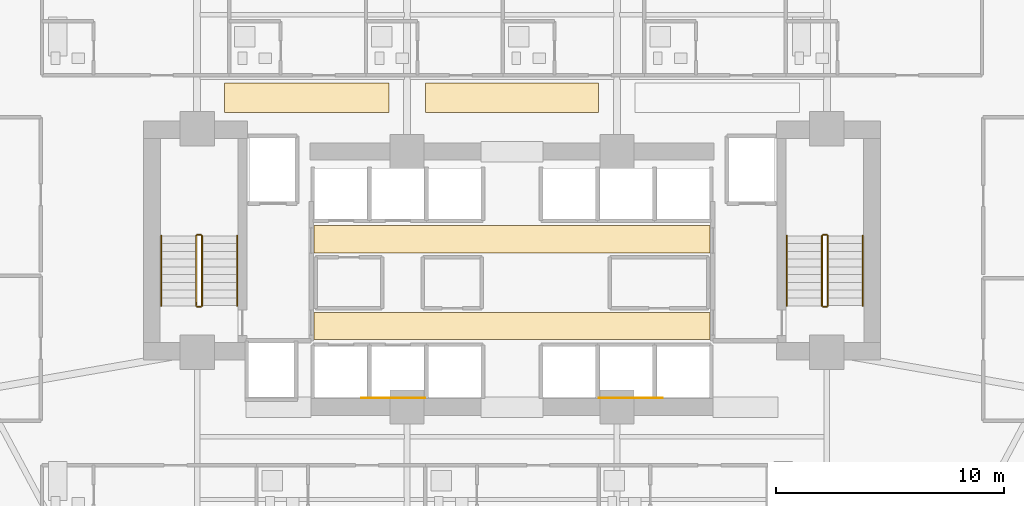
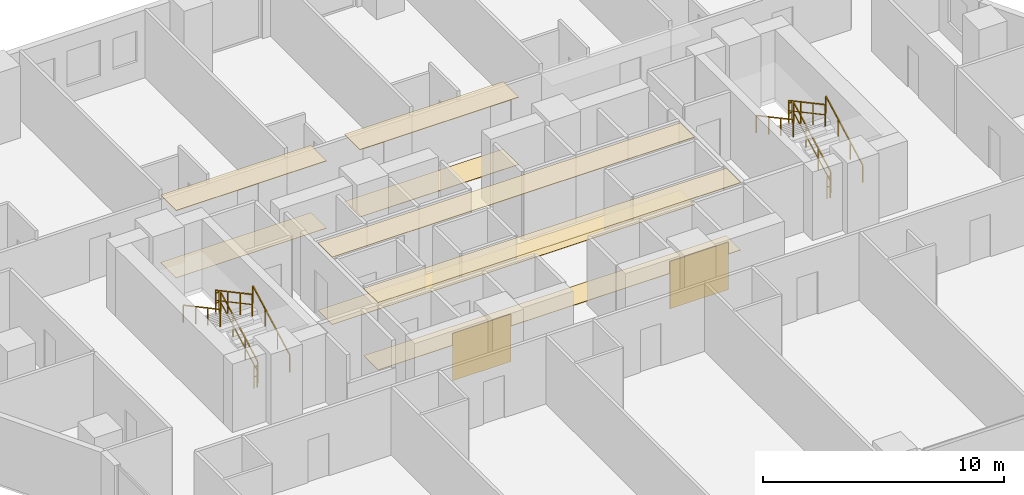
# One storey, part 25 of 27: 12 railings, 10 coverings.
"""IFC4 building model written with IfcOpenShell, lengths in metres."""

from ifc_helpers import new_model, si_unit, direction, frame, origin, origin_2d, place, context, subcontext, project, spatial, polyline, rectangle, outline, extrude, material, layer, layer_set, type_object, element, save


model = new_model("IFC4")

# Units and contexts
model_context = context("Model", 3, precision=1e-05, world=origin(), true_north=direction((0.0, 1.0)))
body_context = subcontext(model_context, "Body", "Model", "MODEL_VIEW")
ifc_project = project(units=[si_unit("LENGTHUNIT", "METRE"), si_unit("AREAUNIT", "SQUARE_METRE"), si_unit("VOLUMEUNIT", "CUBIC_METRE"), si_unit("PLANEANGLEUNIT", "RADIAN"), si_unit("MASSUNIT", "GRAM", prefix="KILO")], contexts=[model_context])

# Site, building, storey
site_placement = place(None, origin())
site = spatial("IfcSite", under=ifc_project, at=site_placement, CompositionType="ELEMENT")
building_placement = place(site_placement, origin())
building = spatial("IfcBuilding", under=site, at=building_placement, Name="Zuhayl Quay Hotel", CompositionType="ELEMENT")
storey_placement = place(building_placement, frame((0.0, 0.0, 102.949951171875)))
storey = spatial("IfcBuildingStorey", under=building, at=storey_placement, Name="L25", CompositionType="ELEMENT", Elevation=102.949951171875)

# Coverings
ifc_material_1 = material(Name="Acoustic Mineral-Fibre Gypsum Board")
ifc_layer_1 = layer(ifc_material_1, 0.02490234375, Name="Acoustic Mineral-Fibre Gypsum Board")
ifc_layer_set_1 = layer_set([ifc_layer_1], Name="Acoustic Mineral-Fibre Gypsum Board")
covering_type_1 = type_object("IfcCoveringType", Name="CV_CEIL_ACOUSTIC", PredefinedType="CEILING", material=ifc_layer_set_1)
covering_1_placement = place(storey_placement, frame((0.0, 0.0, 3.405029296875)))
element("IfcCovering", 1, at=covering_1_placement, inside=storey, type_object=covering_type_1, Name="L25 Suspended Acoustic Lobby Ceiling S", PredefinedType="CEILING", context=body_context, shape_type="SweptSolid", body=[
    extrude(outline(polyline([(-8.679931640625, 5.10009765625), (8.679931640625, 5.10009765625), (8.679931640625, 6.300048828125), (-8.679931640625, 6.300048828125), (-8.679931640625, 5.10009765625)])), origin(), (0.0, 0.0, 1.0), 0.02490234375),
])
covering_2_placement = place(storey_placement, frame((0.0, 0.0, 3.405029296875)))
element("IfcCovering", 2, at=covering_2_placement, inside=storey, type_object=covering_type_1, Name="L25 Suspended Acoustic Lobby Ceiling N", PredefinedType="CEILING", context=body_context, shape_type="SweptSolid", body=[
    extrude(outline(polyline([(-8.679931640625, 8.89990234375), (8.679931640625, 8.89990234375), (8.679931640625, 10.10009765625), (-8.679931640625, 10.10009765625), (-8.679931640625, 8.89990234375)])), origin(), (0.0, 0.0, 1.0), 0.02490234375),
])
covering_3_placement = place(storey_placement, frame((0.0, 0.0, 3.405029296875)))
element("IfcCovering", 3, at=covering_3_placement, inside=storey, type_object=covering_type_1, Name="L25 Guest Corridor Acoustic Ceiling CW", PredefinedType="CEILING", context=body_context, shape_type="SweptSolid", body=[
    extrude(outline(polyline([(-12.60009765625, 15.050048828125), (-5.39990234375, 15.050048828125), (-5.39990234375, 16.35009765625), (-12.60009765625, 16.35009765625), (-12.60009765625, 15.050048828125)])), origin(), (0.0, 0.0, 1.0), 0.02490234375),
])
covering_4_placement = place(storey_placement, frame((0.0, 0.0, 3.405029296875)))
element("IfcCovering", 4, at=covering_4_placement, inside=storey, type_object=covering_type_1, Name="L25 Guest Corridor Acoustic Ceiling CC", PredefinedType="CEILING", context=body_context, shape_type="SweptSolid", body=[
    extrude(outline(polyline([(-3.800048828125, 15.050048828125), (3.800048828125, 15.050048828125), (3.800048828125, 16.35009765625), (-3.800048828125, 16.35009765625), (-3.800048828125, 15.050048828125)])), origin(), (0.0, 0.0, 1.0), 0.02490234375),
])
ifc_material_2 = material(Name="Polished Limestone Terrazzo", Category="masonry")
ifc_layer_2 = layer(ifc_material_2, 0.02001953125, Name="Polished Limestone Terrazzo", Category="masonry")
ifc_layer_set_2 = layer_set([ifc_layer_2], Name="Polished Limestone Terrazzo")
covering_type_2 = type_object("IfcCoveringType", Name="CV_FLOOR_TERRAZZO", PredefinedType="FLOORING", material=ifc_layer_set_2)
covering_5_placement = place(storey_placement, origin())
element("IfcCovering", 5, at=covering_5_placement, inside=storey, type_object=covering_type_2, Name="L25 Honed Limestone Terrazzo Lobby Flooring S", PredefinedType="FLOORING", context=body_context, shape_type="SweptSolid", body=[
    extrude(outline(polyline([(-8.679931640625, 5.10009765625), (8.679931640625, 5.10009765625), (8.679931640625, 6.300048828125), (-8.679931640625, 6.300048828125), (-8.679931640625, 5.10009765625)])), origin(), (0.0, 0.0, 1.0), 0.02001953125),
])
covering_6_placement = place(storey_placement, origin())
element("IfcCovering", 6, at=covering_6_placement, inside=storey, type_object=covering_type_2, Name="L25 Honed Limestone Terrazzo Lobby Flooring N", PredefinedType="FLOORING", context=body_context, shape_type="SweptSolid", body=[
    extrude(outline(polyline([(-8.679931640625, 8.89990234375), (8.679931640625, 8.89990234375), (8.679931640625, 10.10009765625), (-8.679931640625, 10.10009765625), (-8.679931640625, 8.89990234375)])), origin(), (0.0, 0.0, 1.0), 0.02001953125),
])
covering_7_placement = place(storey_placement, origin())
element("IfcCovering", 7, at=covering_7_placement, inside=storey, type_object=covering_type_2, Name="L25 Guest Corridor Terrazzo Runner CW", PredefinedType="FLOORING", context=body_context, shape_type="SweptSolid", body=[
    extrude(outline(polyline([(-12.60009765625, 15.050048828125), (-5.39990234375, 15.050048828125), (-5.39990234375, 16.35009765625), (-12.60009765625, 16.35009765625), (-12.60009765625, 15.050048828125)])), origin(), (0.0, 0.0, 1.0), 0.02001953125),
])
covering_8_placement = place(storey_placement, origin())
element("IfcCovering", 8, at=covering_8_placement, inside=storey, type_object=covering_type_2, Name="L25 Guest Corridor Terrazzo Runner CC", PredefinedType="FLOORING", context=body_context, shape_type="SweptSolid", body=[
    extrude(outline(polyline([(-3.800048828125, 15.050048828125), (3.800048828125, 15.050048828125), (3.800048828125, 16.35009765625), (-3.800048828125, 16.35009765625), (-3.800048828125, 15.050048828125)])), origin(), (0.0, 0.0, 1.0), 0.02001953125),
])
ifc_material_3 = material(Name="Acoustic Walnut Feature Timber", Category="wood")
ifc_layer_3 = layer(ifc_material_3, 0.02197265625, Name="Acoustic Walnut Feature Timber", Category="wood")
ifc_layer_set_3 = layer_set([ifc_layer_3], Name="Acoustic Walnut Feature Timber")
covering_type_3 = type_object("IfcCoveringType", Name="CV_WALL_CLAD", PredefinedType="CLADDING", material=ifc_layer_set_3)
for number, where, z_axis, x_axis, name in (
    (9, (-5.199951171875, 2.535888671875, 0.300048828125), (0.0, 0.0, 1.0), (1.0, 0.0, 0.0), "L25 Feature Lobby Walnut Wall Cladding W"),
    (10, (5.199951171875, 2.535888671875, 0.300048828125), (0.0, 0.0, 1.0), (1.0, 0.0, 0.0), "L25 Feature Lobby Walnut Wall Cladding E"),
):
    element("IfcCovering", number, at=place(storey_placement, frame(where, z_axis=z_axis, x_axis=x_axis)), inside=storey, type_object=covering_type_3, Name=name, PredefinedType="CLADDING", context=body_context, shape_type="SweptSolid", body=[
        extrude(rectangle(XDim=2.800048828125, YDim=0.02197265625, at=origin_2d()), origin(), (0.0, 0.0, 1.0), 2.39990234375),
    ])

# Railings
ifc_material_4 = material(Name="Steel ASTM A992 Grade 50", Category="steel")
railing_type_1 = type_object("IfcRailingType", Name="RL_GUARD_1100", PredefinedType="GUARDRAIL", material=ifc_material_4)
railing_1_placement = place(storey_placement, frame((-13.590087890625, 6.590087890625, 0.1826171875)))
element("IfcRailing", 11, at=railing_1_placement, inside=storey, type_object=railing_type_1, Name="L25 ST1 stair guard 1", PredefinedType="GUARDRAIL", context=body_context, shape_type="SweptSolid", body=[
    extrude(rectangle(XDim=0.048095703125, YDim=0.048095703125, at=origin_2d()), frame((0.0, 0.0, 1.09619140625), z_axis=(0.0, 0.881102395774, 0.472925541879), x_axis=(-1.0, 0.0, 0.0)), (0.0, 0.0, 1.0), 3.47265625),
    extrude(rectangle(XDim=0.0361328125, YDim=0.0361328125, at=origin_2d()), frame((0.0, 0.0, 0.58251953125), z_axis=(0.0, 0.881102395774, 0.472925541879), x_axis=(-1.0, 0.0, 0.0)), (0.0, 0.0, 1.0), 3.47265625),
    extrude(rectangle(XDim=0.0419921875, YDim=0.0419921875, at=origin_2d()), origin(), (0.0, 0.0, 1.0), 1.072021484375),
    extrude(rectangle(XDim=0.0419921875, YDim=0.0419921875, at=origin_2d()), frame((0.0, 1.02001953125, 0.54736328125)), (0.0, 0.0, 1.0), 1.072021484375),
    extrude(rectangle(XDim=0.0419921875, YDim=0.0419921875, at=origin_2d()), frame((0.0, 2.039794921875, 1.094970703125)), (0.0, 0.0, 1.0), 1.072021484375),
    extrude(rectangle(XDim=0.0419921875, YDim=0.0419921875, at=origin_2d()), frame((0.0, 3.059814453125, 1.642333984375)), (0.0, 0.0, 1.0), 1.072021484375),
])
railing_2_placement = place(storey_placement, frame((-13.639892578125, 9.699951171875, 1.824951171875)))
element("IfcRailing", 12, at=railing_2_placement, inside=storey, type_object=railing_type_1, Name="L25 ST1 stair guard 2", PredefinedType="GUARDRAIL", context=body_context, shape_type="SweptSolid", body=[
    extrude(rectangle(XDim=0.048095703125, YDim=0.048095703125, at=origin_2d()), frame((0.0, 0.0, 1.09619140625), z_axis=(-1.0, 0.0, 0.0), x_axis=(0.0, -1.0, 0.0)), (0.0, 0.0, 1.0), 0.150146484375),
    extrude(rectangle(XDim=0.0361328125, YDim=0.0361328125, at=origin_2d()), frame((0.0, 0.0, 0.58251953125), z_axis=(-1.0, 0.0, 0.0), x_axis=(0.0, -1.0, 0.0)), (0.0, 0.0, 1.0), 0.150146484375),
    extrude(rectangle(XDim=0.0419921875, YDim=0.0419921875, at=origin_2d()), origin(), (0.0, 0.0, 1.0), 1.072021484375),
    extrude(rectangle(XDim=0.0419921875, YDim=0.0419921875, at=origin_2d()), frame((-0.150146484375, 0.0, 0.0)), (0.0, 0.0, 1.0), 1.072021484375),
])
railing_3_placement = place(storey_placement, frame((-13.840087890625, 9.64990234375, 2.007568359375)))
element("IfcRailing", 13, at=railing_3_placement, inside=storey, type_object=railing_type_1, Name="L25 ST1 stair guard 3", PredefinedType="GUARDRAIL", context=body_context, shape_type="SweptSolid", body=[
    extrude(rectangle(XDim=0.048095703125, YDim=0.048095703125, at=origin_2d()), frame((0.0, 0.0, 1.09619140625), z_axis=(0.0, -0.88107310026, 0.472980117973), x_axis=(1.0, 0.0, 0.0)), (0.0, 0.0, 1.0), 3.472900390625),
    extrude(rectangle(XDim=0.0361328125, YDim=0.0361328125, at=origin_2d()), frame((0.0, 0.0, 0.58251953125), z_axis=(0.0, -0.88107310026, 0.472980117973), x_axis=(1.0, 0.0, 0.0)), (0.0, 0.0, 1.0), 3.472900390625),
    extrude(rectangle(XDim=0.0419921875, YDim=0.0419921875, at=origin_2d()), origin(), (0.0, 0.0, 1.0), 1.072021484375),
    extrude(rectangle(XDim=0.0419921875, YDim=0.0419921875, at=origin_2d()), frame((0.0, -1.02001953125, 0.547607421875)), (0.0, 0.0, 1.0), 1.072021484375),
    extrude(rectangle(XDim=0.0419921875, YDim=0.0419921875, at=origin_2d()), frame((0.0, -2.039794921875, 1.094970703125)), (0.0, 0.0, 1.0), 1.072021484375),
    extrude(rectangle(XDim=0.0419921875, YDim=0.0419921875, at=origin_2d()), frame((0.0, -3.059814453125, 1.642578125)), (0.0, 0.0, 1.0), 1.072021484375),
])
railing_4_placement = place(storey_placement, frame((-13.639892578125, 6.5400390625, 0.0)))
element("IfcRailing", 14, at=railing_4_placement, inside=storey, type_object=railing_type_1, Name="L25 ST1 stair guard 4", PredefinedType="GUARDRAIL", context=body_context, shape_type="SweptSolid", body=[
    extrude(rectangle(XDim=0.048095703125, YDim=0.048095703125, at=origin_2d()), frame((0.0, 0.0, 1.09619140625), z_axis=(-1.0, 0.0, 0.0), x_axis=(0.0, -1.0, 0.0)), (0.0, 0.0, 1.0), 0.150146484375),
    extrude(rectangle(XDim=0.0361328125, YDim=0.0361328125, at=origin_2d()), frame((0.0, 0.0, 0.58251953125), z_axis=(-1.0, 0.0, 0.0), x_axis=(0.0, -1.0, 0.0)), (0.0, 0.0, 1.0), 0.150146484375),
    extrude(rectangle(XDim=0.0419921875, YDim=0.0419921875, at=origin_2d()), origin(), (0.0, 0.0, 1.0), 1.072021484375),
    extrude(rectangle(XDim=0.0419921875, YDim=0.0419921875, at=origin_2d()), frame((-0.150146484375, 0.0, 0.0)), (0.0, 0.0, 1.0), 1.072021484375),
])
railing_5_placement = place(storey_placement, frame((13.840087890625, 6.590087890625, 0.1826171875)))
element("IfcRailing", 15, at=railing_5_placement, inside=storey, type_object=railing_type_1, Name="L25 ST2 stair guard 1", PredefinedType="GUARDRAIL", context=body_context, shape_type="SweptSolid", body=[
    extrude(rectangle(XDim=0.048095703125, YDim=0.048095703125, at=origin_2d()), frame((0.0, 0.0, 1.09619140625), z_axis=(0.0, 0.881102395774, 0.472925541879), x_axis=(-1.0, 0.0, 0.0)), (0.0, 0.0, 1.0), 3.47265625),
    extrude(rectangle(XDim=0.0361328125, YDim=0.0361328125, at=origin_2d()), frame((0.0, 0.0, 0.58251953125), z_axis=(0.0, 0.881102395774, 0.472925541879), x_axis=(-1.0, 0.0, 0.0)), (0.0, 0.0, 1.0), 3.47265625),
    extrude(rectangle(XDim=0.0419921875, YDim=0.0419921875, at=origin_2d()), origin(), (0.0, 0.0, 1.0), 1.072021484375),
    extrude(rectangle(XDim=0.0419921875, YDim=0.0419921875, at=origin_2d()), frame((0.0, 1.02001953125, 0.54736328125)), (0.0, 0.0, 1.0), 1.072021484375),
    extrude(rectangle(XDim=0.0419921875, YDim=0.0419921875, at=origin_2d()), frame((0.0, 2.039794921875, 1.094970703125)), (0.0, 0.0, 1.0), 1.072021484375),
    extrude(rectangle(XDim=0.0419921875, YDim=0.0419921875, at=origin_2d()), frame((0.0, 3.059814453125, 1.642333984375)), (0.0, 0.0, 1.0), 1.072021484375),
])
railing_6_placement = place(storey_placement, frame((13.7900390625, 9.699951171875, 1.824951171875)))
element("IfcRailing", 16, at=railing_6_placement, inside=storey, type_object=railing_type_1, Name="L25 ST2 stair guard 2", PredefinedType="GUARDRAIL", context=body_context, shape_type="SweptSolid", body=[
    extrude(rectangle(XDim=0.048095703125, YDim=0.048095703125, at=origin_2d()), frame((0.0, 0.0, 1.09619140625), z_axis=(-1.0, 0.0, 0.0), x_axis=(0.0, -1.0, 0.0)), (0.0, 0.0, 1.0), 0.150146484375),
    extrude(rectangle(XDim=0.0361328125, YDim=0.0361328125, at=origin_2d()), frame((0.0, 0.0, 0.58251953125), z_axis=(-1.0, 0.0, 0.0), x_axis=(0.0, -1.0, 0.0)), (0.0, 0.0, 1.0), 0.150146484375),
    extrude(rectangle(XDim=0.0419921875, YDim=0.0419921875, at=origin_2d()), origin(), (0.0, 0.0, 1.0), 1.072021484375),
    extrude(rectangle(XDim=0.0419921875, YDim=0.0419921875, at=origin_2d()), frame((-0.150146484375, 0.0, 0.0)), (0.0, 0.0, 1.0), 1.072021484375),
])
railing_7_placement = place(storey_placement, frame((13.590087890625, 9.64990234375, 2.007568359375)))
element("IfcRailing", 17, at=railing_7_placement, inside=storey, type_object=railing_type_1, Name="L25 ST2 stair guard 3", PredefinedType="GUARDRAIL", context=body_context, shape_type="SweptSolid", body=[
    extrude(rectangle(XDim=0.048095703125, YDim=0.048095703125, at=origin_2d()), frame((0.0, 0.0, 1.09619140625), z_axis=(0.0, -0.88107310026, 0.472980117973), x_axis=(1.0, 0.0, 0.0)), (0.0, 0.0, 1.0), 3.472900390625),
    extrude(rectangle(XDim=0.0361328125, YDim=0.0361328125, at=origin_2d()), frame((0.0, 0.0, 0.58251953125), z_axis=(0.0, -0.88107310026, 0.472980117973), x_axis=(1.0, 0.0, 0.0)), (0.0, 0.0, 1.0), 3.472900390625),
    extrude(rectangle(XDim=0.0419921875, YDim=0.0419921875, at=origin_2d()), origin(), (0.0, 0.0, 1.0), 1.072021484375),
    extrude(rectangle(XDim=0.0419921875, YDim=0.0419921875, at=origin_2d()), frame((0.0, -1.02001953125, 0.547607421875)), (0.0, 0.0, 1.0), 1.072021484375),
    extrude(rectangle(XDim=0.0419921875, YDim=0.0419921875, at=origin_2d()), frame((0.0, -2.039794921875, 1.094970703125)), (0.0, 0.0, 1.0), 1.072021484375),
    extrude(rectangle(XDim=0.0419921875, YDim=0.0419921875, at=origin_2d()), frame((0.0, -3.059814453125, 1.642578125)), (0.0, 0.0, 1.0), 1.072021484375),
])
railing_8_placement = place(storey_placement, frame((13.7900390625, 6.5400390625, 0.0)))
element("IfcRailing", 18, at=railing_8_placement, inside=storey, type_object=railing_type_1, Name="L25 ST2 stair guard 4", PredefinedType="GUARDRAIL", context=body_context, shape_type="SweptSolid", body=[
    extrude(rectangle(XDim=0.048095703125, YDim=0.048095703125, at=origin_2d()), frame((0.0, 0.0, 1.09619140625), z_axis=(-1.0, 0.0, 0.0), x_axis=(0.0, -1.0, 0.0)), (0.0, 0.0, 1.0), 0.150146484375),
    extrude(rectangle(XDim=0.0361328125, YDim=0.0361328125, at=origin_2d()), frame((0.0, 0.0, 0.58251953125), z_axis=(-1.0, 0.0, 0.0), x_axis=(0.0, -1.0, 0.0)), (0.0, 0.0, 1.0), 0.150146484375),
    extrude(rectangle(XDim=0.0419921875, YDim=0.0419921875, at=origin_2d()), origin(), (0.0, 0.0, 1.0), 1.072021484375),
    extrude(rectangle(XDim=0.0419921875, YDim=0.0419921875, at=origin_2d()), frame((-0.150146484375, 0.0, 0.0)), (0.0, 0.0, 1.0), 1.072021484375),
])
railing_type_2 = type_object("IfcRailingType", Name="RL_HANDRAIL_920", PredefinedType="HANDRAIL", material=ifc_material_4)
railing_9_placement = place(storey_placement, frame((-12.050048828125, 6.590087890625, 0.1826171875)))
element("IfcRailing", 19, at=railing_9_placement, inside=storey, type_object=railing_type_2, Name="L25 ST1 stair handrail 1", PredefinedType="HANDRAIL", context=body_context, shape_type="SweptSolid", body=[
    extrude(rectangle(XDim=0.048095703125, YDim=0.048095703125, at=origin_2d()), frame((0.0, 0.0, 0.8759765625), z_axis=(0.0, 0.881102395774, 0.472925541879), x_axis=(-1.0, 0.0, 0.0)), (0.0, 0.0, 1.0), 3.47265625),
    extrude(rectangle(XDim=0.0419921875, YDim=0.0419921875, at=origin_2d()), origin(), (0.0, 0.0, 1.0), 0.851806640625),
    extrude(rectangle(XDim=0.0419921875, YDim=0.0419921875, at=origin_2d()), frame((0.0, 1.02001953125, 0.54736328125)), (0.0, 0.0, 1.0), 0.851806640625),
    extrude(rectangle(XDim=0.0419921875, YDim=0.0419921875, at=origin_2d()), frame((0.0, 2.039794921875, 1.094970703125)), (0.0, 0.0, 1.0), 0.851806640625),
    extrude(rectangle(XDim=0.0419921875, YDim=0.0419921875, at=origin_2d()), frame((0.0, 3.059814453125, 1.642333984375)), (0.0, 0.0, 1.0), 0.851806640625),
])
railing_10_placement = place(storey_placement, frame((-15.3798828125, 9.64990234375, 2.007568359375)))
element("IfcRailing", 20, at=railing_10_placement, inside=storey, type_object=railing_type_2, Name="L25 ST1 stair handrail 2", PredefinedType="HANDRAIL", context=body_context, shape_type="SweptSolid", body=[
    extrude(rectangle(XDim=0.048095703125, YDim=0.048095703125, at=origin_2d()), frame((0.0, 0.0, 0.8759765625), z_axis=(0.0, -0.88107310026, 0.472980117973), x_axis=(1.0, 0.0, 0.0)), (0.0, 0.0, 1.0), 3.472900390625),
    extrude(rectangle(XDim=0.0419921875, YDim=0.0419921875, at=origin_2d()), origin(), (0.0, 0.0, 1.0), 0.851806640625),
    extrude(rectangle(XDim=0.0419921875, YDim=0.0419921875, at=origin_2d()), frame((0.0, -1.02001953125, 0.547607421875)), (0.0, 0.0, 1.0), 0.851806640625),
    extrude(rectangle(XDim=0.0419921875, YDim=0.0419921875, at=origin_2d()), frame((0.0, -2.039794921875, 1.094970703125)), (0.0, 0.0, 1.0), 0.851806640625),
    extrude(rectangle(XDim=0.0419921875, YDim=0.0419921875, at=origin_2d()), frame((0.0, -3.059814453125, 1.642578125)), (0.0, 0.0, 1.0), 0.851806640625),
])
railing_11_placement = place(storey_placement, frame((15.3798828125, 6.590087890625, 0.1826171875)))
element("IfcRailing", 21, at=railing_11_placement, inside=storey, type_object=railing_type_2, Name="L25 ST2 stair handrail 1", PredefinedType="HANDRAIL", context=body_context, shape_type="SweptSolid", body=[
    extrude(rectangle(XDim=0.048095703125, YDim=0.048095703125, at=origin_2d()), frame((0.0, 0.0, 0.8759765625), z_axis=(0.0, 0.881102395774, 0.472925541879), x_axis=(-1.0, 0.0, 0.0)), (0.0, 0.0, 1.0), 3.47265625),
    extrude(rectangle(XDim=0.0419921875, YDim=0.0419921875, at=origin_2d()), origin(), (0.0, 0.0, 1.0), 0.851806640625),
    extrude(rectangle(XDim=0.0419921875, YDim=0.0419921875, at=origin_2d()), frame((0.0, 1.02001953125, 0.54736328125)), (0.0, 0.0, 1.0), 0.851806640625),
    extrude(rectangle(XDim=0.0419921875, YDim=0.0419921875, at=origin_2d()), frame((0.0, 2.039794921875, 1.094970703125)), (0.0, 0.0, 1.0), 0.851806640625),
    extrude(rectangle(XDim=0.0419921875, YDim=0.0419921875, at=origin_2d()), frame((0.0, 3.059814453125, 1.642333984375)), (0.0, 0.0, 1.0), 0.851806640625),
])
railing_12_placement = place(storey_placement, frame((12.050048828125, 9.64990234375, 2.007568359375)))
element("IfcRailing", 22, at=railing_12_placement, inside=storey, type_object=railing_type_2, Name="L25 ST2 stair handrail 2", PredefinedType="HANDRAIL", context=body_context, shape_type="SweptSolid", body=[
    extrude(rectangle(XDim=0.048095703125, YDim=0.048095703125, at=origin_2d()), frame((0.0, 0.0, 0.8759765625), z_axis=(0.0, -0.88107310026, 0.472980117973), x_axis=(1.0, 0.0, 0.0)), (0.0, 0.0, 1.0), 3.472900390625),
    extrude(rectangle(XDim=0.0419921875, YDim=0.0419921875, at=origin_2d()), origin(), (0.0, 0.0, 1.0), 0.851806640625),
    extrude(rectangle(XDim=0.0419921875, YDim=0.0419921875, at=origin_2d()), frame((0.0, -1.02001953125, 0.547607421875)), (0.0, 0.0, 1.0), 0.851806640625),
    extrude(rectangle(XDim=0.0419921875, YDim=0.0419921875, at=origin_2d()), frame((0.0, -2.039794921875, 1.094970703125)), (0.0, 0.0, 1.0), 0.851806640625),
    extrude(rectangle(XDim=0.0419921875, YDim=0.0419921875, at=origin_2d()), frame((0.0, -3.059814453125, 1.642578125)), (0.0, 0.0, 1.0), 0.851806640625),
])

save(model, "model.ifc")
